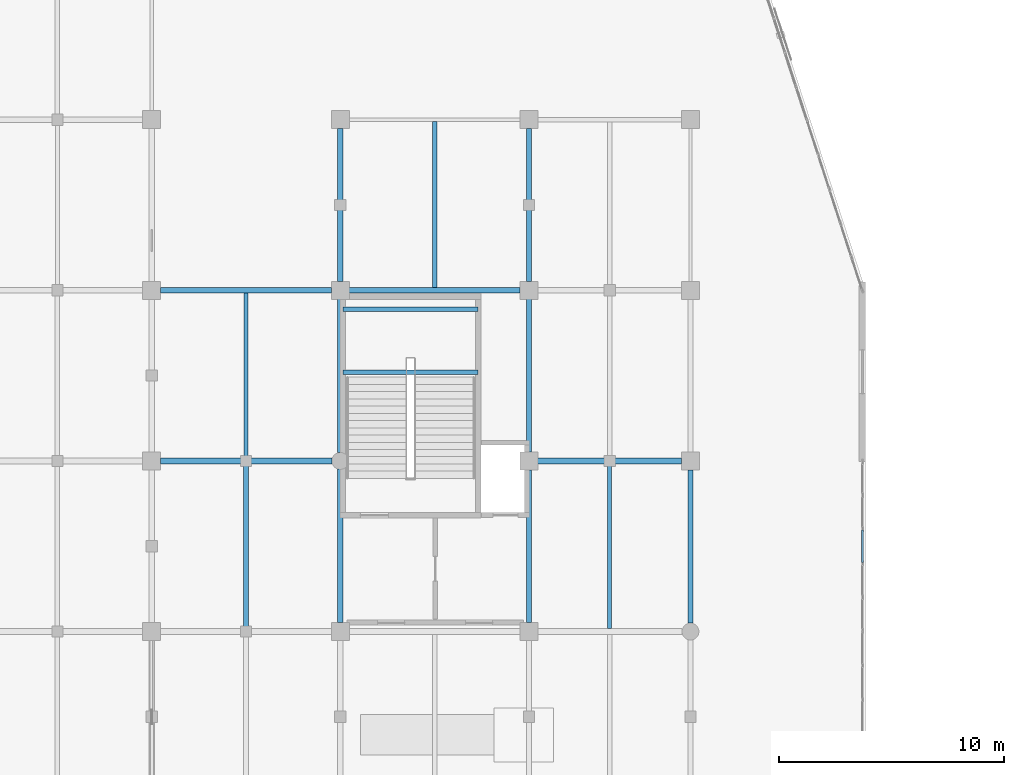
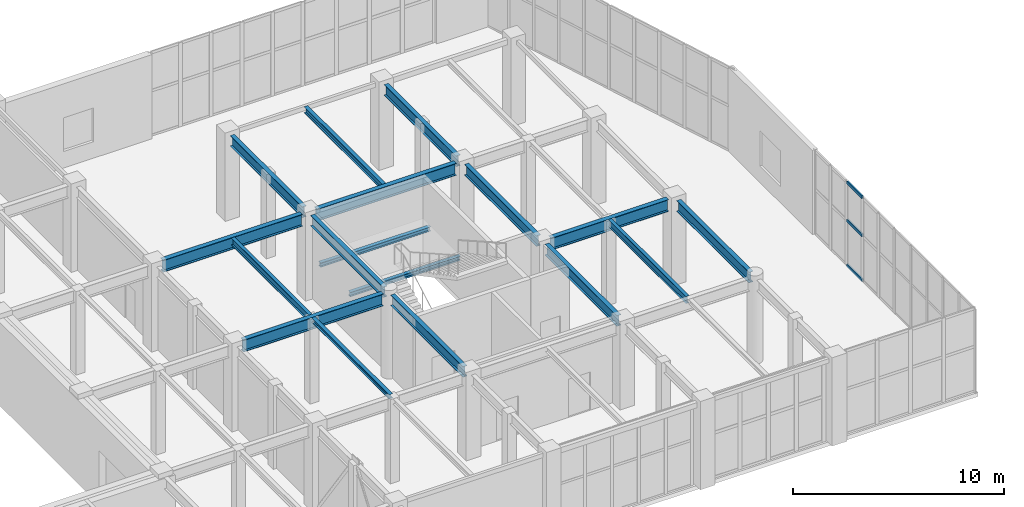
# One storey, part 46 of 128: 17 beams, 3 members, 1 element without a shape of its own.
"""IFC4 building model written with IfcOpenShell, lengths in metres."""

from ifc_helpers import new_model, si_unit, direction, frame, origin, origin_2d, place, context, subcontext, project, spatial, hollow_rectangle, i_section, extrude, material, layer, layer_set, material_profile, profile_set, type_object, element, aggregate, save


model = new_model("IFC4")

# Units and contexts
model_context = context("Model", 3, precision=1e-05, world=origin(), true_north=direction((0.0, 1.0)))
body_context = subcontext(model_context, "Body", "Model", "MODEL_VIEW")
ifc_project = project(units=[si_unit("LENGTHUNIT", "METRE"), si_unit("AREAUNIT", "SQUARE_METRE"), si_unit("VOLUMEUNIT", "CUBIC_METRE"), si_unit("PLANEANGLEUNIT", "RADIAN"), si_unit("MASSUNIT", "GRAM", prefix="KILO")], contexts=[model_context])

# Site, building, storey
site_placement = place(None, origin())
site = spatial("IfcSite", under=ifc_project, at=site_placement, CompositionType="ELEMENT")
building_placement = place(site_placement, origin())
building = spatial("IfcBuilding", under=site, at=building_placement, Name="Xicomal Pleat Aquarium", CompositionType="ELEMENT")
storey_placement = place(building_placement, frame((0.0, 0.0, 5.39990234375)))
storey = spatial("IfcBuildingStorey", under=building, at=storey_placement, Name="L02", CompositionType="ELEMENT", Elevation=5.39990234375)

# Beams
ifc_material_1 = material(Name="Structural steel A992 Gr 50", Category="steel")
ifc_material_profile_1 = material_profile(ifc_material_1, i_section(OverallWidth=0.201904296875, OverallDepth=0.2470703125, WebThickness=0.00732421875, FlangeThickness=0.010986328125, at=origin_2d()), Name="IR 250x49")
ifc_profile_set_1 = profile_set([ifc_material_profile_1], Name="Structural steel A992 Gr 50")
beam_type_1 = type_object("IfcBeamType", Name="BM-STL-IR250", PredefinedType="JOIST", material=ifc_profile_set_1)
beam_1_placement = place(storey_placement, frame((98.39990234375, 45.73095703125, 4.736572265625), z_axis=(0.0, 1.0, 0.0), x_axis=(-1.0, 0.0, 0.0)))
element("IfcBeam", 1, at=beam_1_placement, inside=storey, type_object=beam_type_1, Name="L02 framing beam FBJ-L02-12-G-1", PredefinedType="JOIST", context=body_context, shape_type="SweptSolid", body=[
    extrude(i_section(OverallWidth=0.201904296875, OverallDepth=0.2470703125, WebThickness=0.00732421875, FlangeThickness=0.010986328125, at=origin_2d()), origin(), (0.0, 0.0, 1.0), 7.338134765625),
])
for number, where, z_axis, x_axis, name in (
    (2, (102.719970703125, 59.949951171875, 2.22900390625), (1.0, 0.0, 0.0), (0.0, 1.0, 0.0), "ST-07-L02 half-landing bearer beam 1"),
    (3, (102.719970703125, 57.14794921875, 2.22900390625), (1.0, 0.0, 0.0), (0.0, 1.0, 0.0), "ST-07-L02 half-landing bearer beam 2"),
):
    element("IfcBeam", number, at=place(storey_placement, frame(where, z_axis=z_axis, x_axis=x_axis)), inside=storey, type_object=beam_type_1, Name=name, PredefinedType="JOIST", context=body_context, shape_type="SweptSolid", body=[
        extrude(i_section(OverallWidth=0.201904296875, OverallDepth=0.2470703125, WebThickness=0.00732421875, FlangeThickness=0.010986328125, at=origin_2d()), origin(), (0.0, 0.0, 1.0), 6.02001953125),
    ])
ifc_material_2 = material(Name="Structural steel A992 Gr 50", Category="steel")
ifc_material_profile_2 = material_profile(ifc_material_2, i_section(OverallWidth=0.205078125, OverallDepth=0.35400390625, WebThickness=0.009521484375, FlangeThickness=0.016845703125, at=origin_2d()), Name="IR 360x79")
ifc_profile_set_2 = profile_set([ifc_material_profile_2], Name="Structural steel A992 Gr 50")
beam_type_2 = type_object("IfcBeamType", Name="BM-STL-IR360", PredefinedType="JOIST", material=ifc_profile_set_2)
beam_2_placement = place(storey_placement, frame((106.800048828125, 60.930908203125, 4.68310546875), z_axis=(0.0, 1.0, 0.0), x_axis=(-1.0, 0.0, 0.0)))
element("IfcBeam", 4, at=beam_2_placement, inside=storey, type_object=beam_type_2, Name="L02 framing beam FBJ-L02-13-J-1", PredefinedType="JOIST", context=body_context, shape_type="SweptSolid", body=[
    extrude(i_section(OverallWidth=0.205078125, OverallDepth=0.35400390625, WebThickness=0.009521484375, FlangeThickness=0.016845703125, at=origin_2d()), origin(), (0.0, 0.0, 1.0), 7.39111328125),
])
ifc_material_3 = material(Name="Structural steel A992 Gr 50", Category="steel")
ifc_material_profile_3 = material_profile(ifc_material_3, i_section(OverallWidth=0.180908203125, OverallDepth=0.4169921875, WebThickness=0.010986328125, FlangeThickness=0.018310546875, at=origin_2d()), Name="IR 410x85")
ifc_profile_set_3 = profile_set([ifc_material_profile_3], Name="Structural steel A992 Gr 50")
beam_type_3 = type_object("IfcBeamType", Name="BM-STL-IR410", PredefinedType="JOIST", material=ifc_profile_set_3)
beam_3_placement = place(storey_placement, frame((98.39990234375, 53.3310546875, 4.651611328125), z_axis=(0.0, 1.0, 0.0), x_axis=(-1.0, 0.0, 0.0)))
element("IfcBeam", 5, at=beam_3_placement, inside=storey, type_object=beam_type_3, Name="L02 framing beam FBJ-L02-12-H-1", PredefinedType="JOIST", context=body_context, shape_type="SweptSolid", body=[
    extrude(i_section(OverallWidth=0.180908203125, OverallDepth=0.4169921875, WebThickness=0.010986328125, FlangeThickness=0.018310546875, at=origin_2d()), origin(), (0.0, 0.0, 1.0), 7.337890625),
])
beam_4_placement = place(storey_placement, frame((114.60009765625, 45.73095703125, 4.651611328125), z_axis=(0.0, 1.0, 0.0), x_axis=(-1.0, 0.0, 0.0)))
element("IfcBeam", 6, at=beam_4_placement, inside=storey, type_object=beam_type_3, Name="L02 framing beam FBJ-L02-14-G-1", PredefinedType="JOIST", context=body_context, shape_type="SweptSolid", body=[
    extrude(i_section(OverallWidth=0.180908203125, OverallDepth=0.4169921875, WebThickness=0.010986328125, FlangeThickness=0.018310546875, at=origin_2d()), origin(), (0.0, 0.0, 1.0), 7.338134765625),
])
ifc_material_4 = material(Name="Structural steel A992 Gr 50", Category="steel")
ifc_material_profile_4 = material_profile(ifc_material_4, i_section(OverallWidth=0.22998046875, OverallDepth=0.616943359375, WebThickness=0.01318359375, FlangeThickness=0.022216796875, at=origin_2d()), Name="IR 610x140")
ifc_profile_set_4 = profile_set([ifc_material_profile_4], Name="Structural steel A992 Gr 50")
beam_type_4 = type_object("IfcBeamType", Name="BM-STL-IR610", PredefinedType="BEAM", material=ifc_profile_set_4)
for number, where, z_axis, x_axis, name in (
    (7, (102.60009765625, 45.9951171875, 4.551513671875), (0.0, 1.0, 0.0), (-1.0, 0.0, 0.0), "L02 framing beam FGY-L02-13-G-H"),
    (8, (102.60009765625, 53.570068359375, 4.551513671875), (0.0, 1.0, 0.0), (-1.0, 0.0, 0.0), "L02 framing beam FGY-L02-13-H-J"),
):
    element("IfcBeam", number, at=place(storey_placement, frame(where, z_axis=z_axis, x_axis=x_axis)), inside=storey, type_object=beam_type_4, Name=name, PredefinedType="BEAM", context=body_context, shape_type="SweptSolid", body=[
        extrude(i_section(OverallWidth=0.22998046875, OverallDepth=0.616943359375, WebThickness=0.01318359375, FlangeThickness=0.022216796875, at=origin_2d()), origin(), (0.0, 0.0, 1.0), 6.8349609375),
    ])
for number, where, z_axis, x_axis, name in (
    (9, (102.60009765625, 61.195068359375, 4.551513671875), (0.0, 1.0, 0.0), (-1.0, 0.0, 0.0), "L02 framing beam FGY-L02-13-J-K"),
    (10, (111.0, 45.9951171875, 4.551513671875), (0.0, 1.0, 0.0), (-1.0, 0.0, 0.0), "L02 framing beam FGY-L02-14-G-H"),
):
    element("IfcBeam", number, at=place(storey_placement, frame(where, z_axis=z_axis, x_axis=x_axis)), inside=storey, type_object=beam_type_4, Name=name, PredefinedType="BEAM", context=body_context, shape_type="SweptSolid", body=[
        extrude(i_section(OverallWidth=0.22998046875, OverallDepth=0.616943359375, WebThickness=0.01318359375, FlangeThickness=0.022216796875, at=origin_2d()), origin(), (0.0, 0.0, 1.0), 6.809814453125),
    ])
beam_5_placement = place(storey_placement, frame((111.0, 53.594970703125, 4.551513671875), z_axis=(0.0, 1.0, 0.0), x_axis=(-1.0, 0.0, 0.0)))
element("IfcBeam", 11, at=beam_5_placement, inside=storey, type_object=beam_type_4, Name="L02 framing beam FGY-L02-14-H-J", PredefinedType="BEAM", context=body_context, shape_type="SweptSolid", body=[
    extrude(i_section(OverallWidth=0.22998046875, OverallDepth=0.616943359375, WebThickness=0.01318359375, FlangeThickness=0.022216796875, at=origin_2d()), origin(), (0.0, 0.0, 1.0), 6.81005859375),
])
beam_6_placement = place(storey_placement, frame((111.0, 61.195068359375, 4.551513671875), z_axis=(0.0, 1.0, 0.0), x_axis=(-1.0, 0.0, 0.0)))
element("IfcBeam", 12, at=beam_6_placement, inside=storey, type_object=beam_type_4, Name="L02 framing beam FGY-L02-14-J-K", PredefinedType="BEAM", context=body_context, shape_type="SweptSolid", body=[
    extrude(i_section(OverallWidth=0.22998046875, OverallDepth=0.616943359375, WebThickness=0.01318359375, FlangeThickness=0.022216796875, at=origin_2d()), origin(), (0.0, 0.0, 1.0), 6.809814453125),
])
beam_7_placement = place(storey_placement, frame((118.199951171875, 45.969970703125, 4.551513671875), z_axis=(0.0, 1.0, 0.0), x_axis=(-1.0, 0.0, 0.0)))
element("IfcBeam", 13, at=beam_7_placement, inside=storey, type_object=beam_type_4, Name="L02 framing beam FGY-L02-15-G-H", PredefinedType="BEAM", context=body_context, shape_type="SweptSolid", body=[
    extrude(i_section(OverallWidth=0.22998046875, OverallDepth=0.616943359375, WebThickness=0.01318359375, FlangeThickness=0.022216796875, at=origin_2d()), origin(), (0.0, 0.0, 1.0), 6.8349609375),
])
ifc_material_5 = material(Name="Structural steel A992 Gr 50", Category="steel")
ifc_material_profile_5 = material_profile(ifc_material_5, i_section(OverallWidth=0.256103515625, OverallDepth=0.693115234375, WebThickness=0.014404296875, FlangeThickness=0.023681640625, at=origin_2d()), Name="IR 690x170")
ifc_profile_set_5 = profile_set([ifc_material_profile_5], Name="Structural steel A992 Gr 50")
beam_type_5 = type_object("IfcBeamType", Name="BM-STL-IR690", PredefinedType="BEAM", material=ifc_profile_set_5)
beam_8_placement = place(storey_placement, frame((94.594970703125, 53.199951171875, 4.513671875), z_axis=(1.0, 0.0, 0.0), x_axis=(0.0, 1.0, 0.0)))
element("IfcBeam", 14, at=beam_8_placement, inside=storey, type_object=beam_type_5, Name="L02 framing beam FGX-L02-12-13-H", PredefinedType="BEAM", context=body_context, shape_type="SweptSolid", body=[
    extrude(i_section(OverallWidth=0.256103515625, OverallDepth=0.693115234375, WebThickness=0.014404296875, FlangeThickness=0.023681640625, at=origin_2d()), origin(), (0.0, 0.0, 1.0), 7.635009765625),
])
beam_9_placement = place(storey_placement, frame((111.39501953125, 53.199951171875, 4.513671875), z_axis=(1.0, 0.0, 0.0), x_axis=(0.0, 1.0, 0.0)))
element("IfcBeam", 15, at=beam_9_placement, inside=storey, type_object=beam_type_5, Name="L02 framing beam FGX-L02-14-15-H", PredefinedType="BEAM", context=body_context, shape_type="SweptSolid", body=[
    extrude(i_section(OverallWidth=0.256103515625, OverallDepth=0.693115234375, WebThickness=0.014404296875, FlangeThickness=0.023681640625, at=origin_2d()), origin(), (0.0, 0.0, 1.0), 6.409912109375),
])
beam_10_placement = place(storey_placement, frame((94.594970703125, 60.800048828125, 4.513671875), z_axis=(1.0, 0.0, 0.0), x_axis=(0.0, 1.0, 0.0)))
element("IfcBeam", 16, at=beam_10_placement, inside=storey, type_object=beam_type_5, Name="L02 framing beam FGX-L02-12-13-J", PredefinedType="BEAM", context=body_context, shape_type="SweptSolid", body=[
    extrude(i_section(OverallWidth=0.256103515625, OverallDepth=0.693115234375, WebThickness=0.014404296875, FlangeThickness=0.023681640625, at=origin_2d()), origin(), (0.0, 0.0, 1.0), 7.610107421875),
])
beam_11_placement = place(storey_placement, frame((102.9951171875, 60.800048828125, 4.513671875), z_axis=(1.0, 0.0, 0.0), x_axis=(0.0, 1.0, 0.0)))
element("IfcBeam", 17, at=beam_11_placement, inside=storey, type_object=beam_type_5, Name="L02 framing beam FGX-L02-13-14-J", PredefinedType="BEAM", context=body_context, shape_type="SweptSolid", body=[
    extrude(i_section(OverallWidth=0.256103515625, OverallDepth=0.693115234375, WebThickness=0.014404296875, FlangeThickness=0.023681640625, at=origin_2d()), origin(), (0.0, 0.0, 1.0), 7.60986328125),
])

# Curtain wall, members
ifc_material_6 = material(Name="Bronze anodized aluminium 6063-T6", Category="aluminium")
ifc_layer = layer(ifc_material_6, 0.159912109375)
ifc_layer_set = layer_set([ifc_layer], Name="Bronze anodized aluminium 6063-T6")
curtain_wall_type = type_object("IfcCurtainWallType", Name="CW-SYS-12", PredefinedType="NOTDEFINED", material=ifc_layer_set)
curtain_wall_placement = place(storey_placement, origin())
curtain_wall = element("IfcCurtainWall", 18, at=curtain_wall_placement, inside=storey, type_object=curtain_wall_type, Name="L02 unitised curtain wall CW-L02-113", PredefinedType="NOTDEFINED")
ifc_material_7 = material(Name="Bronze anodized aluminium 6063-T6", Category="aluminium")
ifc_material_profile_6 = material_profile(ifc_material_7, hollow_rectangle(XDim=0.0849609375, YDim=0.169921875, WallThickness=0.0048828125, at=origin_2d()), Name="ALU TRAN 85x170")
ifc_profile_set_6 = profile_set([ifc_material_profile_6], Name="Bronze anodized aluminium 6063-T6")
member_type = type_object("IfcMemberType", Name="CWT-85x170", PredefinedType="USERDEFINED", material=ifc_profile_set_6)
member_1_placement = place(storey_placement, frame((125.860107421875, 50.117431640625, 0.04248046875), z_axis=(0.0, -1.0, 0.0), x_axis=(1.0, 0.0, 0.0)))
member_1 = element("IfcMember", 19, at=member_1_placement, type_object=member_type, Name="CW-12 transom 3.1", ObjectType="TRANSOM", PredefinedType="USERDEFINED", context=body_context, shape_type="SweptSolid", body=[
    extrude(hollow_rectangle(XDim=0.0849609375, YDim=0.169921875, WallThickness=0.0048828125, at=origin_2d()), origin(), (0.0, 0.0, 1.0), 1.434814453125),
])
member_2_placement = place(storey_placement, frame((125.860107421875, 50.117431640625, 2.6240234375), z_axis=(0.0, -1.0, 0.0), x_axis=(1.0, 0.0, 0.0)))
member_2 = element("IfcMember", 20, at=member_2_placement, type_object=member_type, Name="CW-12 transom 3.2", ObjectType="TRANSOM", PredefinedType="USERDEFINED", context=body_context, shape_type="SweptSolid", body=[
    extrude(hollow_rectangle(XDim=0.0849609375, YDim=0.169921875, WallThickness=0.0048828125, at=origin_2d()), origin(), (0.0, 0.0, 1.0), 1.434814453125),
])
member_3_placement = place(storey_placement, frame((125.860107421875, 50.117431640625, 4.817626953125), z_axis=(0.0, -1.0, 0.0), x_axis=(1.0, 0.0, 0.0)))
member_3 = element("IfcMember", 21, at=member_3_placement, type_object=member_type, Name="CW-12 transom 3.3", ObjectType="TRANSOM", PredefinedType="USERDEFINED", context=body_context, shape_type="SweptSolid", body=[
    extrude(hollow_rectangle(XDim=0.0849609375, YDim=0.169921875, WallThickness=0.0048828125, at=origin_2d()), origin(), (0.0, 0.0, 1.0), 1.434814453125),
])
aggregate(curtain_wall, [member_1, member_2, member_3])

save(model, "model.ifc")
